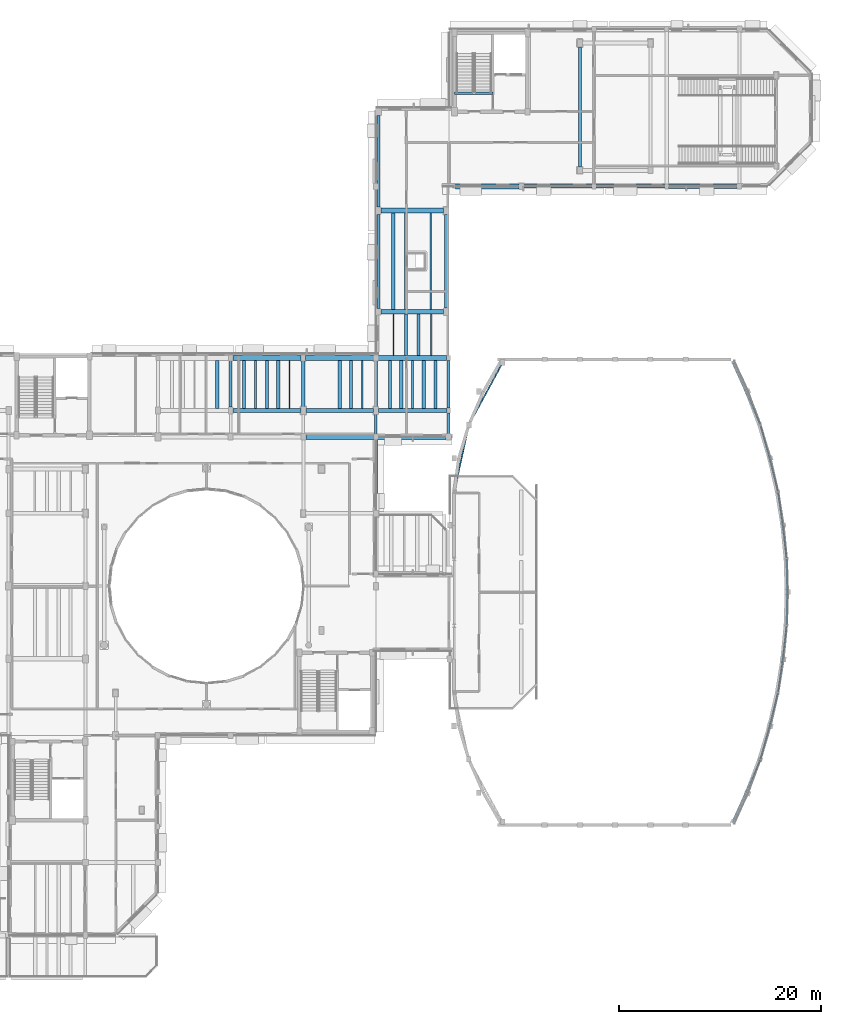
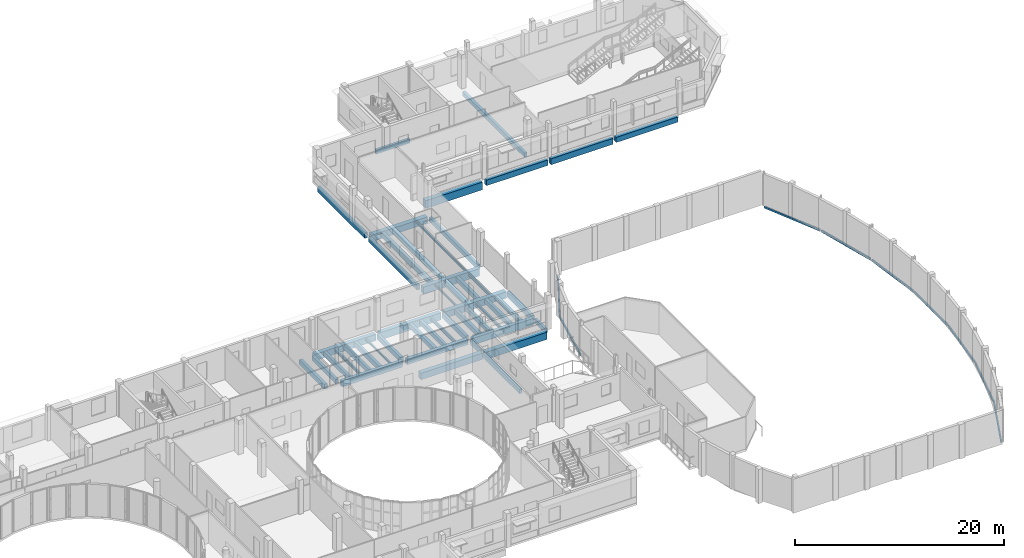
# One storey, part 43 of 92: 56 beams.
"""IFC4 building model written with IfcOpenShell, lengths in metres."""

import ifcopenshell
import ifcopenshell.guid

model = None  # the IFC model being written
_history = None  # IfcOwnerHistory: only IFC2X3 demands one
_inside = {}  # id of a spatial element -> (the spatial element, [elements in it])
_under = {}  # id of a project, library or spatial element -> (it, [spatial elements below it])
_declared = {}  # id of a project -> (the project, [libraries it declares])
_typed = {}  # id of a type object -> (the type object, [elements of that type])
_made_of = {}  # id of a material, layer set ... -> (it, [elements and type objects made of it])


def new_model(schema):
    """Start an empty IFC model of exactly this schema.

    Asked for "IFC4X3", IfcOpenShell would pick the latest addendum, in which some entities
    have other attributes; the version numbers below select the first issue.
    IFC2X3 requires an IfcOwnerHistory on every rooted entity: one is made here for all.
    """
    global model, _history
    if schema == "IFC4X3":
        model = ifcopenshell.file(schema_version=(4, 3, 0, 0))
    else:
        model = ifcopenshell.file(schema=schema)
    _inside.clear()
    _under.clear()
    _declared.clear()
    _typed.clear()
    _made_of.clear()
    _history = None
    if model.schema == "IFC2X3":
        org = make("IfcOrganization", Name="unknown")
        user = make(
            "IfcPersonAndOrganization",
            ThePerson=make("IfcPerson", FamilyName="unknown"),
            TheOrganization=org,
        )
        app = make(
            "IfcApplication",
            ApplicationDeveloper=org,
            Version="unknown",
            ApplicationFullName="unknown",
            ApplicationIdentifier="unknown",
        )
        _history = make(
            "IfcOwnerHistory",
            OwningUser=user,
            OwningApplication=app,
            ChangeAction="ADDED",
            CreationDate=0,
        )
    return model


def make(cls, **values):
    """One entity of the class cls with the attributes given. An attribute that is None is left unset."""
    return model.create_entity(
        cls, **{name: value for name, value in values.items() if value is not None}
    )


def rooted(cls, **values):
    """An entity with a GlobalId (a new one), such as an element, a storey or a relation."""
    return make(cls, GlobalId=ifcopenshell.guid.new(), OwnerHistory=_history, **values)


def si_unit(unit_type, name, prefix=None):
    """IfcSIUnit, for example si_unit("LENGTHUNIT", "METRE", prefix="MILLI")."""
    return make("IfcSIUnit", UnitType=unit_type, Prefix=prefix, Name=name)


def assignment(units):
    """IfcUnitAssignment: the units of a project."""
    return None if units is None else make("IfcUnitAssignment", Units=units)


def point(xyz):
    """IfcCartesianPoint."""
    return None if xyz is None else make("IfcCartesianPoint", Coordinates=xyz)


def direction(xyz):
    """IfcDirection."""
    return None if xyz is None else make("IfcDirection", DirectionRatios=xyz)


def frame(location, z_axis=None, x_axis=None):
    """IfcAxis2Placement3D, a coordinate frame: its origin and axes. An axis left out is left unset."""
    return make(
        "IfcAxis2Placement3D",
        Location=point(location),
        Axis=direction(z_axis),
        RefDirection=direction(x_axis),
    )


def frame_2d(location, x_axis=None):
    """IfcAxis2Placement2D, a coordinate frame in the plane: its origin and x axis."""
    return make(
        "IfcAxis2Placement2D", Location=point(location), RefDirection=direction(x_axis)
    )


def origin():
    """The frame at (0, 0, 0) with its axes left unset."""
    return frame((0.0, 0.0, 0.0))


def origin_2d():
    """The frame at (0, 0) in the plane with its x axis left unset."""
    return frame_2d((0.0, 0.0))


def place(relative_to, where):
    """IfcLocalPlacement: puts the frame where relative to a parent placement (None: the world)."""
    return make(
        "IfcLocalPlacement", PlacementRelTo=relative_to, RelativePlacement=where
    )


def context(
    kind, dimensions, precision=None, world=None, true_north=None, identifier=None
):
    """IfcGeometricRepresentationContext, for example the 3D "Model" context."""
    return make(
        "IfcGeometricRepresentationContext",
        ContextIdentifier=identifier,
        ContextType=kind,
        CoordinateSpaceDimension=dimensions,
        Precision=precision,
        WorldCoordinateSystem=world,
        TrueNorth=true_north,
    )


def subcontext(parent, identifier, kind, view, scale=None):
    """IfcGeometricRepresentationSubContext, for example "Body" below "Model"."""
    return make(
        "IfcGeometricRepresentationSubContext",
        ContextIdentifier=identifier,
        ContextType=kind,
        ParentContext=parent,
        TargetScale=scale,
        TargetView=view,
    )


def project(units=None, contexts=None):
    """IfcProject with its units and contexts."""
    return rooted(
        "IfcProject",
        Name="project",
        RepresentationContexts=contexts,
        UnitsInContext=assignment(units),
    )


def spatial(cls, under=None, at=None, **own):
    """A site, building, storey or space (cls), placed at a placement, below another one or the project."""
    s = rooted(cls, ObjectPlacement=at, **own)
    if under is not None:
        _under.setdefault(under.id(), (under, []))[1].append(s)
    return s


def profile(cls, at=None, kind="AREA", **sizes):
    """A parametric profile (cls). Its sizes go by their IFC names, for example OverallWidth=200.0."""
    return make(cls, ProfileType=kind, Position=at, **sizes)


def rectangle(**sizes):
    """IfcRectangleProfileDef."""
    return profile("IfcRectangleProfileDef", **sizes)


def hollow_rectangle(**sizes):
    """IfcRectangleHollowProfileDef."""
    return profile("IfcRectangleHollowProfileDef", **sizes)


def i_section(**sizes):
    """IfcIShapeProfileDef."""
    return profile("IfcIShapeProfileDef", **sizes)


def extrude(swept, where, along, depth):
    """IfcExtrudedAreaSolid: the profile swept, set in the frame where, extruded along a direction by depth."""
    return make(
        "IfcExtrudedAreaSolid",
        SweptArea=swept,
        Position=where,
        ExtrudedDirection=direction(along),
        Depth=depth,
    )


def shape(context_of_items, identifier, shape_type, items):
    """IfcShapeRepresentation: the items that make up one representation, for example the "Body"."""
    return make(
        "IfcShapeRepresentation",
        ContextOfItems=context_of_items,
        RepresentationIdentifier=identifier,
        RepresentationType=shape_type,
        Items=items,
    )


def material(Name=None, Category=None):
    """IfcMaterial."""
    return make("IfcMaterial", Name=Name, Category=Category)


def material_profile(
    of_material, cross_section, Name=None, Category=None, Priority=None
):
    """IfcMaterialProfile: a cross section and its material."""
    return make(
        "IfcMaterialProfile",
        Name=Name,
        Material=of_material,
        Profile=cross_section,
        Priority=Priority,
        Category=Category,
    )


def profile_set(profiles, Name=None, composite=None):
    """IfcMaterialProfileSet."""
    return make(
        "IfcMaterialProfileSet",
        Name=Name,
        MaterialProfiles=profiles,
        CompositeProfile=composite,
    )


def made_of(thing, what):
    """Note that an element or type object is made of a material, layer set ...; save() writes the relation."""
    if what is not None:
        _made_of.setdefault(what.id(), (what, []))[1].append(thing)
    return thing


def type_object(cls, material=None, **own):
    """A type object (cls), such as IfcWallType, which elements share."""
    return made_of(rooted(cls, **own), material)


def element(
    cls,
    number,
    at=None,
    inside=None,
    cuts=None,
    type_object=None,
    material=None,
    context=None,
    identifier="Body",
    shape_type=None,
    held_by="IfcProductDefinitionShape",
    body=None,
    shapes=None,
    **own,
):
    """One element of the class cls, such as IfcWall. Its Tag is "e" and its number.

    at: its placement. inside: the storey or other place that contains it. cuts: it is an
    opening in that element (IfcRelVoidsElement). A single representation is given by context,
    identifier, shape_type and body (its items); several are given by shapes. held_by: the class
    of the entity that holds the representations. save() writes the other relations.
    """
    e = rooted(cls, Tag="e%d" % number, ObjectPlacement=at, **own)
    if body is not None:
        shapes = [shape(context, identifier, shape_type, body)]
    if shapes is not None:
        e.Representation = make(held_by, Representations=shapes)
    if inside is not None:
        _inside.setdefault(inside.id(), (inside, []))[1].append(e)
    if cuts is not None:
        rooted(
            "IfcRelVoidsElement", RelatingBuildingElement=cuts, RelatedOpeningElement=e
        )
    if type_object is not None:
        _typed.setdefault(type_object.id(), (type_object, []))[1].append(e)
    return made_of(e, material)


def aggregate(whole, parts):
    """IfcRelAggregates: a whole, such as a stair, and the parts it consists of."""
    return rooted("IfcRelAggregates", RelatingObject=whole, RelatedObjects=parts)


def save(model, path):
    """Write the relations noted so far, then the file.

    IfcRelAggregates (storeys below a building ...), IfcRelContainedInSpatialStructure (elements
    in a storey), IfcRelDefinesByType, IfcRelAssociatesMaterial and IfcRelDeclares: one each for
    every whole, place, type object, material and project.
    """
    for whole, parts in _under.values():
        aggregate(whole, parts)
    for where, things in _inside.values():
        rooted(
            "IfcRelContainedInSpatialStructure",
            RelatedElements=things,
            RelatingStructure=where,
        )
    for kind, things in _typed.values():
        rooted("IfcRelDefinesByType", RelatedObjects=things, RelatingType=kind)
    for what, things in _made_of.values():
        rooted("IfcRelAssociatesMaterial", RelatedObjects=things, RelatingMaterial=what)
    for by, libraries in _declared.values():
        rooted("IfcRelDeclares", RelatingContext=by, RelatedDefinitions=libraries)
    model.write(path)


model = new_model("IFC4")

# Units and contexts
model_context = context("Model", 3, precision=1e-05, world=origin(), true_north=direction((0.0, 1.0)))
body_context = subcontext(model_context, "Body", "Model", "MODEL_VIEW")
ifc_project = project(units=[si_unit("LENGTHUNIT", "METRE"), si_unit("AREAUNIT", "SQUARE_METRE"), si_unit("VOLUMEUNIT", "CUBIC_METRE"), si_unit("PLANEANGLEUNIT", "RADIAN"), si_unit("MASSUNIT", "GRAM", prefix="KILO")], contexts=[model_context])

# Site, building, storey
site_placement = place(None, origin())
site = spatial("IfcSite", under=ifc_project, at=site_placement, CompositionType="ELEMENT")
building_placement = place(site_placement, origin())
building = spatial("IfcBuilding", under=site, at=building_placement, Name="Kelanivale Promenade Academy", CompositionType="ELEMENT")
storey_placement = place(building_placement, frame((0.0, 0.0, 8.199951171875)))
storey = spatial("IfcBuildingStorey", under=building, at=storey_placement, Name="L02", CompositionType="ELEMENT", Elevation=8.199951171875)

# Beams
ifc_material_1 = material(Name="Concrete C35/45", Category="concrete")
ifc_material_profile_1 = material_profile(ifc_material_1, rectangle(XDim=0.449951171875, YDim=0.75, at=origin_2d()), Name="RC-BM 450x750")
ifc_profile_set_1 = profile_set([ifc_material_profile_1], Name="Concrete C35/45")
beam_type_1 = type_object("IfcBeamType", Name="BM-04 RC-BM 450x750", PredefinedType="BEAM", material=ifc_profile_set_1)
beam_1_placement = place(storey_placement, frame((101.419921875, 79.39990234375, -0.594970703125), z_axis=(1.0, 0.0, 0.0), x_axis=(0.0, 1.0, 0.0)))
element("IfcBeam", 1, at=beam_1_placement, inside=storey, type_object=beam_type_1, Name="L02 girder BM-04", PredefinedType="BEAM", context=body_context, shape_type="SweptSolid", body=[
    extrude(rectangle(XDim=0.449951171875, YDim=0.75, at=origin_2d()), origin(), (0.0, 0.0, 1.0), 6.760009765625),
])
ifc_material_profile_2 = material_profile(ifc_material_1, rectangle(XDim=0.449951171875, YDim=0.85009765625, at=origin_2d()), Name="RC-BM 450x850")
ifc_profile_set_2 = profile_set([ifc_material_profile_2], Name="Concrete C35/45")
beam_type_2 = type_object("IfcBeamType", Name="BM-05 RC-BM 450x850", PredefinedType="BEAM", material=ifc_profile_set_2)
beam_2_placement = place(storey_placement, frame((108.6201171875, 79.39990234375, -0.64501953125), z_axis=(1.0, 0.0, 0.0), x_axis=(0.0, 1.0, 0.0)))
element("IfcBeam", 2, at=beam_2_placement, inside=storey, type_object=beam_type_2, Name="L02 girder BM-05", PredefinedType="BEAM", context=body_context, shape_type="SweptSolid", body=[
    extrude(rectangle(XDim=0.449951171875, YDim=0.85009765625, at=origin_2d()), origin(), (0.0, 0.0, 1.0), 6.759765625),
])
beam_3_placement = place(storey_placement, frame((116.094970703125, 84.0, -0.704833984375), z_axis=(1.0, 0.0, 0.0), x_axis=(0.0, 1.0, 0.0)))
element("IfcBeam", 3, at=beam_3_placement, inside=storey, type_object=beam_type_2, Name="L02 girder BM-05", PredefinedType="BEAM", context=body_context, shape_type="SweptSolid", body=[
    extrude(rectangle(XDim=0.449951171875, YDim=0.85009765625, at=origin_2d()), origin(), (0.0, 0.0, 1.0), 6.2099609375),
])
ifc_material_profile_3 = material_profile(ifc_material_1, rectangle(XDim=0.5, YDim=0.75, at=origin_2d()), Name="RC-BM 500x750")
ifc_profile_set_3 = profile_set([ifc_material_profile_3], Name="Concrete C35/45")
beam_type_3 = type_object("IfcBeamType", Name="BM-06 RC-BM 500x750", PredefinedType="BEAM", material=ifc_profile_set_3)
for number, where, z_axis, x_axis, name in (
    (4, (108.64501953125, 71.60009765625, -0.594970703125), (1.0, 0.0, 0.0), (0.0, 1.0, 0.0), "L02 girder BM-06"),
    (5, (115.820068359375, 79.39990234375, -0.655029296875), (1.0, 0.0, 0.0), (0.0, 1.0, 0.0), "L02 girder BM-06"),
):
    element("IfcBeam", number, at=place(storey_placement, frame(where, z_axis=z_axis, x_axis=x_axis)), inside=storey, type_object=beam_type_3, Name=name, PredefinedType="BEAM", context=body_context, shape_type="SweptSolid", body=[
        extrude(rectangle(XDim=0.5, YDim=0.75, at=origin_2d()), origin(), (0.0, 0.0, 1.0), 6.784912109375),
    ])
beam_4_placement = place(storey_placement, frame((116.094970703125, 94.0, -0.655029296875), z_axis=(1.0, 0.0, 0.0), x_axis=(0.0, 1.0, 0.0)))
element("IfcBeam", 6, at=beam_4_placement, inside=storey, type_object=beam_type_3, Name="L02 girder BM-06", PredefinedType="BEAM", context=body_context, shape_type="SweptSolid", body=[
    extrude(rectangle(XDim=0.5, YDim=0.75, at=origin_2d()), origin(), (0.0, 0.0, 1.0), 6.18505859375),
])
ifc_material_profile_4 = material_profile(ifc_material_1, rectangle(XDim=0.5, YDim=0.85009765625, at=origin_2d()), Name="RC-BM 500x850")
ifc_profile_set_4 = profile_set([ifc_material_profile_4], Name="Concrete C35/45")
beam_type_4 = type_object("IfcBeamType", Name="BM-07 RC-BM 500x850", PredefinedType="BEAM", material=ifc_profile_set_4)
beam_5_placement = place(storey_placement, frame((115.77001953125, 71.60009765625, -0.704833984375), z_axis=(1.0, 0.0, 0.0), x_axis=(0.0, 1.0, 0.0)))
element("IfcBeam", 7, at=beam_5_placement, inside=storey, type_object=beam_type_4, Name="L02 girder BM-07", PredefinedType="BEAM", context=body_context, shape_type="SweptSolid", body=[
    extrude(rectangle(XDim=0.5, YDim=0.85009765625, at=origin_2d()), origin(), (0.0, 0.0, 1.0), 6.784912109375),
])
ifc_material_profile_5 = material_profile(ifc_material_1, rectangle(XDim=0.5, YDim=0.89990234375, at=origin_2d()), Name="RC-BM 500x900")
ifc_profile_set_5 = profile_set([ifc_material_profile_5], Name="Concrete C35/45")
beam_type_5 = type_object("IfcBeamType", Name="BM-08 RC-BM 500x900", PredefinedType="BEAM", material=ifc_profile_set_5)
beam_6_placement = place(storey_placement, frame((123.471923828125, 96.39990234375, -0.72998046875), z_axis=(1.0, 0.0, 0.0), x_axis=(0.0, 1.0, 0.0)))
element("IfcBeam", 8, at=beam_6_placement, inside=storey, type_object=beam_type_5, Name="L02 girder BM-08", PredefinedType="BEAM", context=body_context, shape_type="SweptSolid", body=[
    extrude(rectangle(XDim=0.5, YDim=0.89990234375, at=origin_2d()), origin(), (0.0, 0.0, 1.0), 6.282958984375),
])
ifc_material_profile_6 = material_profile(ifc_material_1, rectangle(XDim=0.35009765625, YDim=0.64990234375, at=origin_2d()), Name="RC-BM 350x650")
ifc_profile_set_6 = profile_set([ifc_material_profile_6], Name="Concrete C35/45")
beam_type_6 = type_object("IfcBeamType", Name="BM-10 RC-BM 350x650", PredefinedType="BEAM", material=ifc_profile_set_6)
beam_7_placement = place(storey_placement, frame((130.2451171875, 96.39990234375, -0.60498046875), z_axis=(1.0, 0.0, 0.0), x_axis=(0.0, 1.0, 0.0)))
element("IfcBeam", 9, at=beam_7_placement, inside=storey, type_object=beam_type_6, Name="L02 girder BM-10", PredefinedType="BEAM", context=body_context, shape_type="SweptSolid", body=[
    extrude(rectangle(XDim=0.35009765625, YDim=0.64990234375, at=origin_2d()), origin(), (0.0, 0.0, 1.0), 6.784912109375),
])
ifc_material_profile_7 = material_profile(ifc_material_1, rectangle(XDim=0.35009765625, YDim=0.699951171875, at=origin_2d()), Name="RC-BM 350x700")
ifc_profile_set_7 = profile_set([ifc_material_profile_7], Name="Concrete C35/45")
beam_type_7 = type_object("IfcBeamType", Name="BM-11 RC-BM 350x700", PredefinedType="BEAM", material=ifc_profile_set_7)
beam_8_placement = place(storey_placement, frame((101.419921875, 74.199951171875, -0.570068359375), z_axis=(1.0, 0.0, 0.0), x_axis=(0.0, 1.0, 0.0)))
element("IfcBeam", 10, at=beam_8_placement, inside=storey, type_object=beam_type_7, Name="L02 girder BM-11", PredefinedType="BEAM", context=body_context, shape_type="SweptSolid", body=[
    extrude(rectangle(XDim=0.35009765625, YDim=0.699951171875, at=origin_2d()), origin(), (0.0, 0.0, 1.0), 6.735107421875),
])
beam_9_placement = place(storey_placement, frame((137.3701171875, 96.39990234375, -0.6298828125), z_axis=(1.0, 0.0, 0.0), x_axis=(0.0, 1.0, 0.0)))
element("IfcBeam", 11, at=beam_9_placement, inside=storey, type_object=beam_type_7, Name="L02 girder BM-11", PredefinedType="BEAM", context=body_context, shape_type="SweptSolid", body=[
    extrude(rectangle(XDim=0.35009765625, YDim=0.699951171875, at=origin_2d()), origin(), (0.0, 0.0, 1.0), 6.85986328125),
])
ifc_material_profile_8 = material_profile(ifc_material_1, rectangle(XDim=0.39990234375, YDim=0.60009765625, at=origin_2d()), Name="RC-BM 400x600")
ifc_profile_set_8 = profile_set([ifc_material_profile_8], Name="Concrete C35/45")
beam_type_8 = type_object("IfcBeamType", Name="BM-12 RC-BM 400x600", PredefinedType="BEAM", material=ifc_profile_set_8)
beam_10_placement = place(storey_placement, frame((108.64501953125, 74.199951171875, -0.52001953125), z_axis=(1.0, 0.0, 0.0), x_axis=(0.0, 1.0, 0.0)))
element("IfcBeam", 12, at=beam_10_placement, inside=storey, type_object=beam_type_8, Name="L02 girder BM-12", PredefinedType="BEAM", context=body_context, shape_type="SweptSolid", body=[
    extrude(rectangle(XDim=0.39990234375, YDim=0.60009765625, at=origin_2d()), origin(), (0.0, 0.0, 1.0), 6.7099609375),
])
beam_11_placement = place(storey_placement, frame((144.570068359375, 96.39990234375, -0.579833984375), z_axis=(1.0, 0.0, 0.0), x_axis=(0.0, 1.0, 0.0)))
element("IfcBeam", 13, at=beam_11_placement, inside=storey, type_object=beam_type_8, Name="L02 girder BM-12", PredefinedType="BEAM", context=body_context, shape_type="SweptSolid", body=[
    extrude(rectangle(XDim=0.39990234375, YDim=0.60009765625, at=origin_2d()), origin(), (0.0, 0.0, 1.0), 6.809814453125),
])
ifc_material_profile_9 = material_profile(ifc_material_1, rectangle(XDim=0.39990234375, YDim=0.800048828125, at=origin_2d()), Name="RC-BM 400x800")
ifc_profile_set_9 = profile_set([ifc_material_profile_9], Name="Concrete C35/45")
beam_type_9 = type_object("IfcBeamType", Name="BM-14 RC-BM 400x800", PredefinedType="BEAM", material=ifc_profile_set_9)
beam_12_placement = place(storey_placement, frame((115.844970703125, 74.199951171875, -0.679931640625), z_axis=(1.0, 0.0, 0.0), x_axis=(0.0, 1.0, 0.0)))
element("IfcBeam", 14, at=beam_12_placement, inside=storey, type_object=beam_type_9, Name="L02 girder BM-14", PredefinedType="BEAM", context=body_context, shape_type="SweptSolid", body=[
    extrude(rectangle(XDim=0.39990234375, YDim=0.800048828125, at=origin_2d()), origin(), (0.0, 0.0, 1.0), 6.784912109375),
])
ifc_material_profile_10 = material_profile(ifc_material_1, rectangle(XDim=0.300048828125, YDim=0.5, at=origin_2d()), Name="RC-BM 300x500")
ifc_profile_set_10 = profile_set([ifc_material_profile_10], Name="Concrete C35/45")
beam_type_10 = type_object("IfcBeamType", Name="JS-01 RC-BM 300x500", PredefinedType="JOIST", material=ifc_profile_set_10)
beam_13_placement = place(storey_placement, frame((101.199951171875, 74.544921875, -0.469970703125), z_axis=(0.0, 1.0, 0.0), x_axis=(-1.0, 0.0, 0.0)))
element("IfcBeam", 15, at=beam_13_placement, inside=storey, type_object=beam_type_10, Name="L02 beam JS-01", PredefinedType="JOIST", context=body_context, shape_type="SweptSolid", body=[
    extrude(rectangle(XDim=0.300048828125, YDim=0.5, at=origin_2d()), origin(), (0.0, 0.0, 1.0), 4.5849609375),
])
beam_14_placement = place(storey_placement, frame((115.60009765625, 64.294921875, -0.469970703125), z_axis=(0.0, 1.0, 0.0), x_axis=(-1.0, 0.0, 0.0)))
element("IfcBeam", 16, at=beam_14_placement, inside=storey, type_object=beam_type_10, Name="L02 beam JS-01", PredefinedType="JOIST", context=body_context, shape_type="SweptSolid", body=[
    extrude(rectangle(XDim=0.300048828125, YDim=0.5, at=origin_2d()), origin(), (0.0, 0.0, 1.0), 7.06005859375),
])
beam_15_placement = place(storey_placement, frame((122.550048828125, 84.3701171875, -0.530029296875), z_axis=(0.0, 1.0, 0.0), x_axis=(-1.0, 0.0, 0.0)))
element("IfcBeam", 17, at=beam_15_placement, inside=storey, type_object=beam_type_10, Name="L02 beam JS-01", PredefinedType="JOIST", context=body_context, shape_type="SweptSolid", body=[
    extrude(rectangle(XDim=0.300048828125, YDim=0.5, at=origin_2d()), origin(), (0.0, 0.0, 1.0), 9.259765625),
])
beam_16_placement = place(storey_placement, frame((135.800048828125, 98.320068359375, -0.530029296875), z_axis=(0.0, 1.0, 0.0), x_axis=(-1.0, 0.0, 0.0)))
element("IfcBeam", 18, at=beam_16_placement, inside=storey, type_object=beam_type_10, Name="L02 beam JS-01", PredefinedType="JOIST", context=body_context, shape_type="SweptSolid", body=[
    extrude(rectangle(XDim=0.300048828125, YDim=0.5, at=origin_2d()), origin(), (0.0, 0.0, 1.0), 11.909912109375),
])
beam_17_placement = place(storey_placement, frame((102.54296875, 74.375, -0.469970703125), z_axis=(0.0, 1.0, 0.0), x_axis=(-1.0, 0.0, 0.0)))
element("IfcBeam", 19, at=beam_17_placement, inside=storey, type_object=beam_type_10, Name="L02 secondary sub-beam JS-01", PredefinedType="JOIST", context=body_context, shape_type="SweptSolid", body=[
    extrude(rectangle(XDim=0.300048828125, YDim=0.5, at=origin_2d()), origin(), (0.0, 0.0, 1.0), 4.800048828125),
])
beam_18_placement = place(storey_placement, frame((113.117919921875, 74.39990234375, -0.469970703125), z_axis=(0.0, 1.0, 0.0), x_axis=(-1.0, 0.0, 0.0)))
element("IfcBeam", 20, at=beam_18_placement, inside=storey, type_object=beam_type_10, Name="L02 secondary sub-beam JS-01", PredefinedType="JOIST", context=body_context, shape_type="SweptSolid", body=[
    extrude(rectangle(XDim=0.300048828125, YDim=0.5, at=origin_2d()), origin(), (0.0, 0.0, 1.0), 4.775146484375),
])
beam_19_placement = place(storey_placement, frame((121.47802734375, 74.39990234375, -0.530029296875), z_axis=(0.0, 1.0, 0.0), x_axis=(-1.0, 0.0, 0.0)))
element("IfcBeam", 21, at=beam_19_placement, inside=storey, type_object=beam_type_10, Name="L02 secondary sub-beam JS-01", PredefinedType="JOIST", context=body_context, shape_type="SweptSolid", body=[
    extrude(rectangle(XDim=0.300048828125, YDim=0.5, at=origin_2d()), origin(), (0.0, 0.0, 1.0), 4.75),
])
beam_20_placement = place(storey_placement, frame((118.569091796875, 84.22509765625, -0.530029296875), z_axis=(0.0, 1.0, 0.0), x_axis=(-1.0, 0.0, 0.0)))
element("IfcBeam", 22, at=beam_20_placement, inside=storey, type_object=beam_type_10, Name="L02 secondary sub-beam JS-01", PredefinedType="JOIST", context=body_context, shape_type="SweptSolid", body=[
    extrude(rectangle(XDim=0.300048828125, YDim=0.5, at=origin_2d()), origin(), (0.0, 0.0, 1.0), 9.52490234375),
])
ifc_material_profile_11 = material_profile(ifc_material_1, rectangle(XDim=0.300048828125, YDim=0.60009765625, at=origin_2d()), Name="RC-BM 300x600")
ifc_profile_set_11 = profile_set([ifc_material_profile_11], Name="Concrete C35/45")
beam_type_11 = type_object("IfcBeamType", Name="JS-03 RC-BM 300x600", PredefinedType="JOIST", material=ifc_profile_set_11)
beam_21_placement = place(storey_placement, frame((115.60009765625, 74.570068359375, -0.52001953125), z_axis=(0.0, 1.0, 0.0), x_axis=(-1.0, 0.0, 0.0)))
element("IfcBeam", 23, at=beam_21_placement, inside=storey, type_object=beam_type_11, Name="L02 beam JS-03", PredefinedType="JOIST", context=body_context, shape_type="SweptSolid", body=[
    extrude(rectangle(XDim=0.300048828125, YDim=0.60009765625, at=origin_2d()), origin(), (0.0, 0.0, 1.0), 4.559814453125),
])
beam_22_placement = place(storey_placement, frame((122.800048828125, 74.445068359375, -0.579833984375), z_axis=(0.0, 1.0, 0.0), x_axis=(-1.0, 0.0, 0.0)))
element("IfcBeam", 24, at=beam_22_placement, inside=storey, type_object=beam_type_11, Name="L02 beam JS-03", PredefinedType="JOIST", context=body_context, shape_type="SweptSolid", body=[
    extrude(rectangle(XDim=0.300048828125, YDim=0.60009765625, at=origin_2d()), origin(), (0.0, 0.0, 1.0), 4.7099609375),
])
beam_23_placement = place(storey_placement, frame((104.787109375, 74.375, -0.52001953125), z_axis=(0.0, 1.0, 0.0), x_axis=(-1.0, 0.0, 0.0)))
element("IfcBeam", 25, at=beam_23_placement, inside=storey, type_object=beam_type_11, Name="L02 secondary sub-beam JS-03", PredefinedType="JOIST", context=body_context, shape_type="SweptSolid", body=[
    extrude(rectangle(XDim=0.300048828125, YDim=0.60009765625, at=origin_2d()), origin(), (0.0, 0.0, 1.0), 4.800048828125),
])
beam_24_placement = place(storey_placement, frame((116.971923828125, 74.39990234375, -0.579833984375), z_axis=(0.0, 1.0, 0.0), x_axis=(-1.0, 0.0, 0.0)))
element("IfcBeam", 26, at=beam_24_placement, inside=storey, type_object=beam_type_11, Name="L02 secondary sub-beam JS-03", PredefinedType="JOIST", context=body_context, shape_type="SweptSolid", body=[
    extrude(rectangle(XDim=0.300048828125, YDim=0.60009765625, at=origin_2d()), origin(), (0.0, 0.0, 1.0), 4.75),
])
beam_25_placement = place(storey_placement, frame((118.5791015625, 79.64990234375, -0.579833984375), z_axis=(0.0, 1.0, 0.0), x_axis=(-1.0, 0.0, 0.0)))
element("IfcBeam", 27, at=beam_25_placement, inside=storey, type_object=beam_type_11, Name="L02 secondary sub-beam JS-03", PredefinedType="JOIST", context=body_context, shape_type="SweptSolid", body=[
    extrude(rectangle(XDim=0.300048828125, YDim=0.60009765625, at=origin_2d()), origin(), (0.0, 0.0, 1.0), 4.125),
])
ifc_material_profile_12 = material_profile(ifc_material_1, rectangle(XDim=0.320068359375, YDim=0.550048828125, at=origin_2d()), Name="RC-BM 320x550")
ifc_profile_set_12 = profile_set([ifc_material_profile_12], Name="Concrete C35/45")
beam_type_12 = type_object("IfcBeamType", Name="JS-04 RC-BM 320x550", PredefinedType="JOIST", material=ifc_profile_set_12)
beam_26_placement = place(storey_placement, frame((108.39990234375, 74.570068359375, -0.494873046875), z_axis=(0.0, 1.0, 0.0), x_axis=(-1.0, 0.0, 0.0)))
element("IfcBeam", 28, at=beam_26_placement, inside=storey, type_object=beam_type_12, Name="L02 beam JS-04", PredefinedType="JOIST", context=body_context, shape_type="SweptSolid", body=[
    extrude(rectangle(XDim=0.320068359375, YDim=0.550048828125, at=origin_2d()), origin(), (0.0, 0.0, 1.0), 4.559814453125),
])
beam_27_placement = place(storey_placement, frame((115.85009765625, 84.320068359375, -0.554931640625), z_axis=(0.0, 1.0, 0.0), x_axis=(-1.0, 0.0, 0.0)))
element("IfcBeam", 29, at=beam_27_placement, inside=storey, type_object=beam_type_12, Name="L02 beam JS-04", PredefinedType="JOIST", context=body_context, shape_type="SweptSolid", body=[
    extrude(rectangle(XDim=0.320068359375, YDim=0.550048828125, at=origin_2d()), origin(), (0.0, 0.0, 1.0), 9.309814453125),
])
beam_28_placement = place(storey_placement, frame((105.909912109375, 74.375, -0.494873046875), z_axis=(0.0, 1.0, 0.0), x_axis=(-1.0, 0.0, 0.0)))
element("IfcBeam", 30, at=beam_28_placement, inside=storey, type_object=beam_type_12, Name="L02 secondary sub-beam JS-04", PredefinedType="JOIST", context=body_context, shape_type="SweptSolid", body=[
    extrude(rectangle(XDim=0.320068359375, YDim=0.550048828125, at=origin_2d()), origin(), (0.0, 0.0, 1.0), 4.800048828125),
])
beam_29_placement = place(storey_placement, frame((118.097900390625, 74.39990234375, -0.554931640625), z_axis=(0.0, 1.0, 0.0), x_axis=(-1.0, 0.0, 0.0)))
element("IfcBeam", 31, at=beam_29_placement, inside=storey, type_object=beam_type_12, Name="L02 secondary sub-beam JS-04", PredefinedType="JOIST", context=body_context, shape_type="SweptSolid", body=[
    extrude(rectangle(XDim=0.320068359375, YDim=0.550048828125, at=origin_2d()), origin(), (0.0, 0.0, 1.0), 4.75),
])
beam_30_placement = place(storey_placement, frame((119.821044921875, 79.64990234375, -0.554931640625), z_axis=(0.0, 1.0, 0.0), x_axis=(-1.0, 0.0, 0.0)))
element("IfcBeam", 32, at=beam_30_placement, inside=storey, type_object=beam_type_12, Name="L02 secondary sub-beam JS-04", PredefinedType="JOIST", context=body_context, shape_type="SweptSolid", body=[
    extrude(rectangle(XDim=0.320068359375, YDim=0.550048828125, at=origin_2d()), origin(), (0.0, 0.0, 1.0), 4.125),
])
ifc_material_profile_13 = material_profile(ifc_material_1, rectangle(XDim=0.320068359375, YDim=0.60009765625, at=origin_2d()), Name="RC-BM 320x600")
ifc_profile_set_13 = profile_set([ifc_material_profile_13], Name="Concrete C35/45")
beam_type_13 = type_object("IfcBeamType", Name="JS-05 RC-BM 320x600", PredefinedType="JOIST", material=ifc_profile_set_13)
beam_31_placement = place(storey_placement, frame((115.85009765625, 94.3701171875, -0.579833984375), z_axis=(0.0, 1.0, 0.0), x_axis=(-1.0, 0.0, 0.0)))
element("IfcBeam", 33, at=beam_31_placement, inside=storey, type_object=beam_type_13, Name="L02 beam JS-05", PredefinedType="JOIST", context=body_context, shape_type="SweptSolid", body=[
    extrude(rectangle(XDim=0.320068359375, YDim=0.60009765625, at=origin_2d()), origin(), (0.0, 0.0, 1.0), 9.059814453125),
])
ifc_material_profile_14 = material_profile(ifc_material_1, rectangle(XDim=0.35009765625, YDim=0.550048828125, at=origin_2d()), Name="RC-BM 350x550")
ifc_profile_set_14 = profile_set([ifc_material_profile_14], Name="Concrete C35/45")
beam_type_14 = type_object("IfcBeamType", Name="JS-06 RC-BM 350x550", PredefinedType="JOIST", material=ifc_profile_set_14)
beam_32_placement = place(storey_placement, frame((99.85791015625, 74.375, -0.494873046875), z_axis=(0.0, 1.0, 0.0), x_axis=(-1.0, 0.0, 0.0)))
element("IfcBeam", 34, at=beam_32_placement, inside=storey, type_object=beam_type_14, Name="L02 secondary sub-beam JS-06", PredefinedType="JOIST", context=body_context, shape_type="SweptSolid", body=[
    extrude(rectangle(XDim=0.35009765625, YDim=0.550048828125, at=origin_2d()), origin(), (0.0, 0.0, 1.0), 4.800048828125),
])
beam_33_placement = place(storey_placement, frame((112.0, 74.39990234375, -0.494873046875), z_axis=(0.0, 1.0, 0.0), x_axis=(-1.0, 0.0, 0.0)))
element("IfcBeam", 35, at=beam_33_placement, inside=storey, type_object=beam_type_14, Name="L02 secondary sub-beam JS-06", PredefinedType="JOIST", context=body_context, shape_type="SweptSolid", body=[
    extrude(rectangle(XDim=0.35009765625, YDim=0.550048828125, at=origin_2d()), origin(), (0.0, 0.0, 1.0), 4.775146484375),
])
beam_34_placement = place(storey_placement, frame((120.35205078125, 74.39990234375, -0.554931640625), z_axis=(0.0, 1.0, 0.0), x_axis=(-1.0, 0.0, 0.0)))
element("IfcBeam", 36, at=beam_34_placement, inside=storey, type_object=beam_type_14, Name="L02 secondary sub-beam JS-06", PredefinedType="JOIST", context=body_context, shape_type="SweptSolid", body=[
    extrude(rectangle(XDim=0.35009765625, YDim=0.550048828125, at=origin_2d()), origin(), (0.0, 0.0, 1.0), 4.75),
])
beam_35_placement = place(storey_placement, frame((117.33203125, 84.22509765625, -0.554931640625), z_axis=(0.0, 1.0, 0.0), x_axis=(-1.0, 0.0, 0.0)))
element("IfcBeam", 37, at=beam_35_placement, inside=storey, type_object=beam_type_14, Name="L02 secondary sub-beam JS-06", PredefinedType="JOIST", context=body_context, shape_type="SweptSolid", body=[
    extrude(rectangle(XDim=0.35009765625, YDim=0.550048828125, at=origin_2d()), origin(), (0.0, 0.0, 1.0), 9.52490234375),
])
ifc_material_profile_15 = material_profile(ifc_material_1, rectangle(XDim=0.25, YDim=0.5, at=origin_2d()), Name="RC-BM 250x500")
ifc_profile_set_15 = profile_set([ifc_material_profile_15], Name="Concrete C35/45")
beam_type_15 = type_object("IfcBeamType", Name="LN-02 RC-BM 250x500", PredefinedType="LINTEL", material=ifc_profile_set_15)
beam_36_placement = place(storey_placement, frame((115.60009765625, 71.844970703125, -0.469970703125), z_axis=(0.0, 1.0, 0.0), x_axis=(-1.0, 0.0, 0.0)))
element("IfcBeam", 38, at=beam_36_placement, inside=storey, type_object=beam_type_15, Name="L02 beam LN-02", PredefinedType="LINTEL", context=body_context, shape_type="SweptSolid", body=[
    extrude(rectangle(XDim=0.25, YDim=0.5, at=origin_2d()), origin(), (0.0, 0.0, 1.0), 1.985107421875),
])
beam_37_placement = place(storey_placement, frame((122.800048828125, 71.89501953125, -0.530029296875), z_axis=(0.0, 1.0, 0.0), x_axis=(-1.0, 0.0, 0.0)))
element("IfcBeam", 39, at=beam_37_placement, inside=storey, type_object=beam_type_15, Name="L02 beam LN-02", PredefinedType="LINTEL", context=body_context, shape_type="SweptSolid", body=[
    extrude(rectangle(XDim=0.25, YDim=0.5, at=origin_2d()), origin(), (0.0, 0.0, 1.0), 2.06005859375),
])
beam_38_placement = place(storey_placement, frame((123.39990234375, 105.655029296875, -0.25), z_axis=(1.0, 0.0, 0.0), x_axis=(0.0, 1.0, 0.0)))
element("IfcBeam", 40, at=beam_38_placement, inside=storey, type_object=beam_type_15, Name="CORE-5 stair arrival trimmer beam L02", PredefinedType="LINTEL", context=body_context, shape_type="SweptSolid", body=[
    extrude(rectangle(XDim=0.25, YDim=0.5, at=origin_2d()), origin(), (0.0, 0.0, 1.0), 3.775146484375),
])
ifc_material_2 = material(Name="Steel S355", Category="steel")
ifc_material_profile_16 = material_profile(ifc_material_2, i_section(OverallWidth=0.13330078125, OverallDepth=0.203125, WebThickness=0.005615234375, FlangeThickness=0.0078125, FilletRadius=0.007568359375, at=origin_2d()), Name="UB 203x133x25")
ifc_profile_set_16 = profile_set([ifc_material_profile_16], Name="Steel S355")
beam_type_16 = type_object("IfcBeamType", Name="SB-01 UB 203x133x25", PredefinedType="JOIST", material=ifc_profile_set_16)
beam_39_placement = place(storey_placement, frame((117.3369140625, 79.64990234375, -0.3818359375), z_axis=(0.0, 1.0, 0.0), x_axis=(-1.0, 0.0, 0.0)))
element("IfcBeam", 41, at=beam_39_placement, inside=storey, type_object=beam_type_16, Name="L02 secondary sub-beam SB-01", PredefinedType="JOIST", context=body_context, shape_type="SweptSolid", body=[
    extrude(i_section(OverallWidth=0.13330078125, OverallDepth=0.203125, WebThickness=0.005615234375, FlangeThickness=0.0078125, FilletRadius=0.007568359375, at=origin_2d()), origin(), (0.0, 0.0, 1.0), 4.125),
])
ifc_material_profile_17 = material_profile(ifc_material_2, i_section(OverallWidth=0.14599609375, OverallDepth=0.25146484375, WebThickness=0.006103515625, FlangeThickness=0.008544921875, FilletRadius=0.007568359375, at=origin_2d()), Name="UB 254x146x31")
ifc_profile_set_17 = profile_set([ifc_material_profile_17], Name="Steel S355")
beam_type_17 = type_object("IfcBeamType", Name="SB-02 UB 254x146x31", PredefinedType="JOIST", material=ifc_profile_set_17)
beam_40_placement = place(storey_placement, frame((107.031982421875, 74.375, -0.345947265625), z_axis=(0.0, 1.0, 0.0), x_axis=(-1.0, 0.0, 0.0)))
element("IfcBeam", 42, at=beam_40_placement, inside=storey, type_object=beam_type_17, Name="L02 secondary sub-beam SB-02", PredefinedType="JOIST", context=body_context, shape_type="SweptSolid", body=[
    extrude(i_section(OverallWidth=0.14599609375, OverallDepth=0.25146484375, WebThickness=0.006103515625, FlangeThickness=0.008544921875, FilletRadius=0.007568359375, at=origin_2d()), origin(), (0.0, 0.0, 1.0), 4.800048828125),
])
beam_41_placement = place(storey_placement, frame((121.04296875, 84.22509765625, -0.406005859375), z_axis=(0.0, 1.0, 0.0), x_axis=(-1.0, 0.0, 0.0)))
element("IfcBeam", 43, at=beam_41_placement, inside=storey, type_object=beam_type_17, Name="L02 secondary sub-beam SB-02", PredefinedType="JOIST", context=body_context, shape_type="SweptSolid", body=[
    extrude(i_section(OverallWidth=0.14599609375, OverallDepth=0.25146484375, WebThickness=0.006103515625, FlangeThickness=0.008544921875, FilletRadius=0.007568359375, at=origin_2d()), origin(), (0.0, 0.0, 1.0), 9.52490234375),
])
ifc_material_profile_18 = material_profile(ifc_material_2, i_section(OverallWidth=0.1650390625, OverallDepth=0.303466796875, WebThickness=0.006103515625, FlangeThickness=0.01025390625, FilletRadius=0.0087890625, at=origin_2d()), Name="UB 305x165x40")
ifc_profile_set_18 = profile_set([ifc_material_profile_18], Name="Steel S355")
beam_type_18 = type_object("IfcBeamType", Name="SB-03 UB 305x165x40", PredefinedType="BEAM", material=ifc_profile_set_18)
beam_42_placement = place(storey_placement, frame((119.22509765625, 74.39990234375, -0.431884765625), z_axis=(0.0, 1.0, 0.0), x_axis=(-1.0, 0.0, 0.0)))
element("IfcBeam", 44, at=beam_42_placement, inside=storey, type_object=beam_type_18, Name="L02 secondary sub-beam SB-03", PredefinedType="BEAM", context=body_context, shape_type="SweptSolid", body=[
    extrude(i_section(OverallWidth=0.1650390625, OverallDepth=0.303466796875, WebThickness=0.006103515625, FlangeThickness=0.01025390625, FilletRadius=0.0087890625, at=origin_2d()), origin(), (0.0, 0.0, 1.0), 4.75),
])
ifc_material_profile_19 = material_profile(ifc_material_2, i_section(OverallWidth=0.17138671875, OverallDepth=0.35498046875, WebThickness=0.00732421875, FlangeThickness=0.011474609375, FilletRadius=0.01025390625, at=origin_2d()), Name="UB 356x171x51")
ifc_profile_set_19 = profile_set([ifc_material_profile_19], Name="Steel S355")
beam_type_19 = type_object("IfcBeamType", Name="SB-04 UB 356x171x51", PredefinedType="BEAM", material=ifc_profile_set_19)
beam_43_placement = place(storey_placement, frame((103.6650390625, 74.375, -0.39697265625), z_axis=(0.0, 1.0, 0.0), x_axis=(-1.0, 0.0, 0.0)))
element("IfcBeam", 45, at=beam_43_placement, inside=storey, type_object=beam_type_19, Name="L02 secondary sub-beam SB-04", PredefinedType="BEAM", context=body_context, shape_type="SweptSolid", body=[
    extrude(i_section(OverallWidth=0.17138671875, OverallDepth=0.35498046875, WebThickness=0.00732421875, FlangeThickness=0.011474609375, FilletRadius=0.01025390625, at=origin_2d()), origin(), (0.0, 0.0, 1.0), 4.800048828125),
])
beam_44_placement = place(storey_placement, frame((121.06298828125, 79.64990234375, -0.4580078125), z_axis=(0.0, 1.0, 0.0), x_axis=(-1.0, 0.0, 0.0)))
element("IfcBeam", 46, at=beam_44_placement, inside=storey, type_object=beam_type_19, Name="L02 secondary sub-beam SB-04", PredefinedType="BEAM", context=body_context, shape_type="SweptSolid", body=[
    extrude(i_section(OverallWidth=0.17138671875, OverallDepth=0.35498046875, WebThickness=0.00732421875, FlangeThickness=0.011474609375, FilletRadius=0.01025390625, at=origin_2d()), origin(), (0.0, 0.0, 1.0), 4.125),
])
ifc_material_profile_20 = material_profile(ifc_material_2, i_section(OverallWidth=0.177978515625, OverallDepth=0.406494140625, WebThickness=0.0078125, FlangeThickness=0.0126953125, FilletRadius=0.01025390625, at=origin_2d()), Name="UB 406x178x60")
ifc_profile_set_20 = profile_set([ifc_material_profile_20], Name="Steel S355")
beam_type_20 = type_object("IfcBeamType", Name="SB-05 UB 406x178x60", PredefinedType="BEAM", material=ifc_profile_set_20)
beam_45_placement = place(storey_placement, frame((114.237060546875, 74.39990234375, -0.4228515625), z_axis=(0.0, 1.0, 0.0), x_axis=(-1.0, 0.0, 0.0)))
element("IfcBeam", 47, at=beam_45_placement, inside=storey, type_object=beam_type_20, Name="L02 secondary sub-beam SB-05", PredefinedType="BEAM", context=body_context, shape_type="SweptSolid", body=[
    extrude(i_section(OverallWidth=0.177978515625, OverallDepth=0.406494140625, WebThickness=0.0078125, FlangeThickness=0.0126953125, FilletRadius=0.01025390625, at=origin_2d()), origin(), (0.0, 0.0, 1.0), 4.775146484375),
])
ifc_material_profile_21 = material_profile(ifc_material_2, hollow_rectangle(XDim=0.14990234375, YDim=0.25, WallThickness=0.010009765625, InnerFilletRadius=0.010009765625, OuterFilletRadius=0.02001953125, at=origin_2d()), Name="RHS 250x150x10.0")
ifc_profile_set_21 = profile_set([ifc_material_profile_21], Name="Steel S355")
beam_type_21 = type_object("IfcBeamType", Name="SB-13 RHS 250x150x10.0", PredefinedType="SPANDREL", material=ifc_profile_set_21)
beam_46_placement = place(storey_placement, frame((150.97900390625, 33.541015625, -0.125), z_axis=(0.406593934051, 0.913608982439, 0.0), x_axis=(-0.913608982439, 0.406593934051, 0.0)))
element("IfcBeam", 48, at=beam_46_placement, inside=storey, type_object=beam_type_21, Name="Assembly Hall Arc Pavilion curved ring beam SB-13", PredefinedType="SPANDREL", context=body_context, shape_type="SweptSolid", body=[
    extrude(hollow_rectangle(XDim=0.14990234375, YDim=0.25, WallThickness=0.010009765625, InnerFilletRadius=0.010009765625, OuterFilletRadius=0.02001953125, at=origin_2d()), origin(), (0.0, 0.0, 1.0), 6.564208984375),
])
beam_47_placement = place(storey_placement, frame((153.715087890625, 39.72607421875, -0.125), z_axis=(0.255453887547, 0.966821240632, 0.0), x_axis=(-0.966821240632, 0.255453887547, 0.0)))
element("IfcBeam", 49, at=beam_47_placement, inside=storey, type_object=beam_type_21, Name="Assembly Hall Arc Pavilion curved ring beam SB-13", PredefinedType="SPANDREL", context=body_context, shape_type="SweptSolid", body=[
    extrude(hollow_rectangle(XDim=0.14990234375, YDim=0.25, WallThickness=0.010009765625, InnerFilletRadius=0.010009765625, OuterFilletRadius=0.02001953125, at=origin_2d()), origin(), (0.0, 0.0, 1.0), 6.654541015625),
])
beam_48_placement = place(storey_placement, frame((155.4541015625, 46.35595703125, -0.125), z_axis=(0.12752809224, 0.991834958897, 0.0), x_axis=(-0.991834958897, 0.12752809224, 0.0)))
element("IfcBeam", 50, at=beam_48_placement, inside=storey, type_object=beam_type_21, Name="Assembly Hall Arc Pavilion curved ring beam SB-13", PredefinedType="SPANDREL", context=body_context, shape_type="SweptSolid", body=[
    extrude(hollow_rectangle(XDim=0.14990234375, YDim=0.25, WallThickness=0.010009765625, InnerFilletRadius=0.010009765625, OuterFilletRadius=0.02001953125, at=origin_2d()), origin(), (0.0, 0.0, 1.0), 6.484130859375),
])
beam_49_placement = place(storey_placement, frame((156.2939453125, 52.986083984375, -0.125), z_axis=(0.0, 1.0, 0.0), x_axis=(-1.0, 0.0, 0.0)))
element("IfcBeam", 51, at=beam_49_placement, inside=storey, type_object=beam_type_21, Name="Assembly Hall Arc Pavilion curved ring beam SB-13", PredefinedType="SPANDREL", context=body_context, shape_type="SweptSolid", body=[
    extrude(hollow_rectangle(XDim=0.14990234375, YDim=0.25, WallThickness=0.010009765625, InnerFilletRadius=0.010009765625, OuterFilletRadius=0.02001953125, at=origin_2d()), origin(), (0.0, 0.0, 1.0), 6.427978515625),
])
beam_50_placement = place(storey_placement, frame((156.281005859375, 59.613037109375, -0.125), z_axis=(-0.127532854927, 0.991834346509, 0.0), x_axis=(-0.991834346509, -0.127532854927, 0.0)))
element("IfcBeam", 52, at=beam_50_placement, inside=storey, type_object=beam_type_21, Name="Assembly Hall Arc Pavilion curved ring beam SB-13", PredefinedType="SPANDREL", context=body_context, shape_type="SweptSolid", body=[
    extrude(hollow_rectangle(XDim=0.14990234375, YDim=0.25, WallThickness=0.010009765625, InnerFilletRadius=0.010009765625, OuterFilletRadius=0.02001953125, at=origin_2d()), origin(), (0.0, 0.0, 1.0), 6.48388671875),
])
beam_51_placement = place(storey_placement, frame((155.4150390625, 66.239990234375, -0.125), z_axis=(-0.255444826884, 0.966823634598, 0.0), x_axis=(-0.966823634598, -0.255444826884, 0.0)))
element("IfcBeam", 53, at=beam_51_placement, inside=storey, type_object=beam_type_21, Name="Assembly Hall Arc Pavilion curved ring beam SB-13", PredefinedType="SPANDREL", context=body_context, shape_type="SweptSolid", body=[
    extrude(hollow_rectangle(XDim=0.14990234375, YDim=0.25, WallThickness=0.010009765625, InnerFilletRadius=0.010009765625, OuterFilletRadius=0.02001953125, at=origin_2d()), origin(), (0.0, 0.0, 1.0), 6.65478515625),
])
beam_52_placement = place(storey_placement, frame((123.37109375, 66.240966796875, -0.125), z_axis=(0.213831783118, 0.976870497317, 0.0), x_axis=(-0.976870497317, 0.213831783118, 0.0)))
element("IfcBeam", 54, at=beam_52_placement, inside=storey, type_object=beam_type_21, Name="Assembly Hall Arc Pavilion inner kidney ring beam SB-13", PredefinedType="SPANDREL", context=body_context, shape_type="SweptSolid", body=[
    extrude(hollow_rectangle(XDim=0.14990234375, YDim=0.25, WallThickness=0.010009765625, InnerFilletRadius=0.010009765625, OuterFilletRadius=0.02001953125, at=origin_2d()), origin(), (0.0, 0.0, 1.0), 6.58447265625),
])
beam_53_placement = place(storey_placement, frame((153.64794921875, 72.862060546875, -0.125), z_axis=(-0.40660775048, 0.913602833429, 0.0), x_axis=(-0.913602833429, -0.40660775048, 0.0)))
element("IfcBeam", 55, at=beam_53_placement, inside=storey, type_object=beam_type_21, Name="Assembly Hall Arc Pavilion curved ring beam SB-13", PredefinedType="SPANDREL", context=body_context, shape_type="SweptSolid", body=[
    extrude(hollow_rectangle(XDim=0.14990234375, YDim=0.25, WallThickness=0.010009765625, InnerFilletRadius=0.010009765625, OuterFilletRadius=0.02001953125, at=origin_2d()), origin(), (0.0, 0.0, 1.0), 6.56396484375),
])
beam_54_placement = place(storey_placement, frame((124.847900390625, 72.85888671875, -0.125), z_axis=(0.476558403155, 0.879142814554, 0.0), x_axis=(-0.879142814554, 0.476558403155, 0.0)))
element("IfcBeam", 56, at=beam_54_placement, inside=storey, type_object=beam_type_21, Name="Assembly Hall Arc Pavilion inner kidney ring beam SB-13", PredefinedType="SPANDREL", context=body_context, shape_type="SweptSolid", body=[
    extrude(hollow_rectangle(XDim=0.14990234375, YDim=0.25, WallThickness=0.010009765625, InnerFilletRadius=0.010009765625, OuterFilletRadius=0.02001953125, at=origin_2d()), origin(), (0.0, 0.0, 1.0), 6.828369140625),
])

save(model, "model.ifc")
